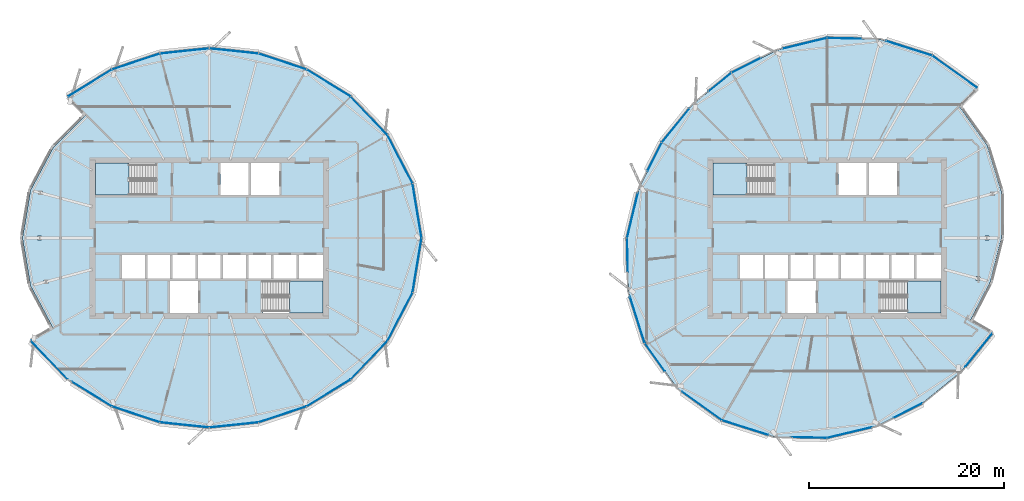
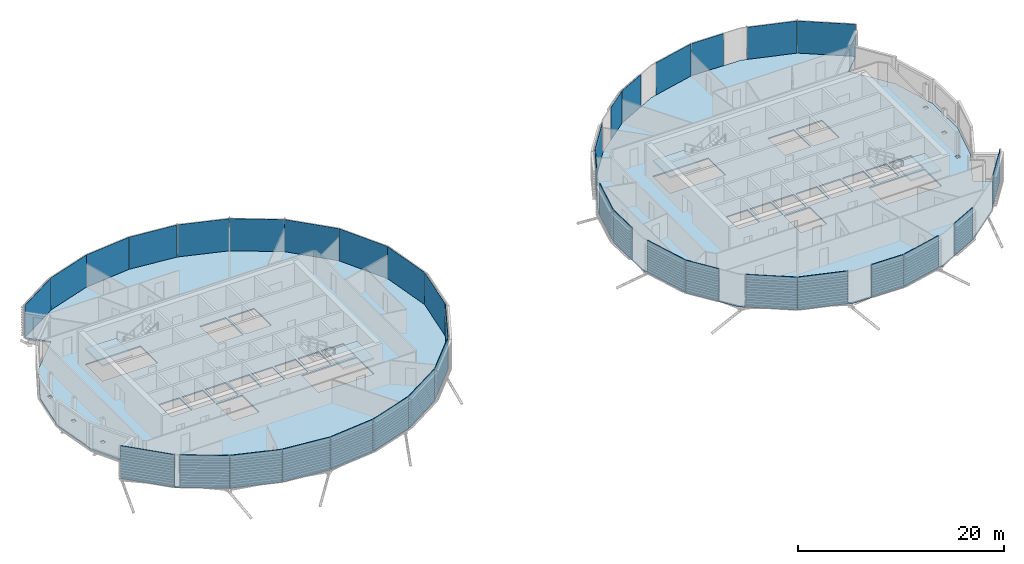
# One storey, part 18 of 36: 37 plates, 6 slabs, 6 elements without a shape of their own.
"""IFC4 building model written with IfcOpenShell, lengths in metres."""

from ifc_helpers import new_model, si_unit, direction, frame, origin, origin_2d, place, context, subcontext, project, spatial, polyline, rectangle, outline, extrude, material, layer, layer_set, type_object, element, aggregate, save


model = new_model("IFC4")

# Units and contexts
model_context = context("Model", 3, precision=1e-05, world=origin(), true_north=direction((0.0, 1.0)))
body_context = subcontext(model_context, "Body", "Model", "MODEL_VIEW")
ifc_project = project(units=[si_unit("LENGTHUNIT", "METRE"), si_unit("AREAUNIT", "SQUARE_METRE"), si_unit("VOLUMEUNIT", "CUBIC_METRE"), si_unit("PLANEANGLEUNIT", "RADIAN"), si_unit("MASSUNIT", "GRAM", prefix="KILO")], contexts=[model_context])

# Site, building, storey
site_placement = place(None, origin())
site = spatial("IfcSite", under=ifc_project, at=site_placement, CompositionType="ELEMENT")
building_placement = place(site_placement, origin())
building = spatial("IfcBuilding", under=site, at=building_placement, Name="Rimbun Link Towers", CompositionType="ELEMENT")
storey_placement = place(building_placement, frame((0.0, 0.0, 189.300048828125)))
storey = spatial("IfcBuildingStorey", under=building, at=storey_placement, Name="L46", CompositionType="ELEMENT", Elevation=189.300048828125)

# Slabs
ifc_material_1 = material(Name="Concrete C35/45", Category="concrete")
ifc_layer_1 = layer(ifc_material_1, 0.14990234375)
ifc_layer_set_1 = layer_set([ifc_layer_1], Name="COMPOSITE FLOOR 150")
slab_type_1 = type_object("IfcSlabType", Name="COMPOSITE FLOOR 150", PredefinedType="FLOOR", material=ifc_layer_set_1)
slab_1_placement = place(storey_placement, frame((0.0, 0.0, -0.150146484375)))
element("IfcSlab", 1, at=slab_1_placement, inside=storey, type_object=slab_type_1, Name="Floor slab T1 L46", PredefinedType="FLOOR", context=body_context, shape_type="SweptSolid", body=[
    extrude(outline(polyline([(-41.739013671875, 17.301513671875), (-36.822509765625, 18.930908203125), (-31.75, 19.465087890625), (-26.677490234375, 18.930908203125), (-21.760986328125, 17.301513671875), (-17.230224609375, 14.519775390625), (-13.443115234375, 10.569580078125), (-10.868896484375, 5.594970703125), (-9.948974609375, 0.0), (-10.868896484375, -5.594970703125), (-13.443115234375, -10.569580078125), (-17.230224609375, -14.519775390625), (-21.760986328125, -17.301513671875), (-26.677490234375, -18.930908203125), (-31.75, -19.465087890625), (-36.822509765625, -18.930908203125), (-41.739013671875, -17.301513671875), (-46.269775390625, -14.519775390625), (-50.056884765625, -10.569580078125), (-47.805419921875, -9.26953125), (-50.11962890625, -4.922119140625), (-50.950927734375, 0.0), (-50.11962890625, 4.922119140625), (-47.805419921875, 9.26953125), (-44.431396484375, 12.681396484375), (-46.269775390625, 14.519775390625), (-41.739013671875, 17.301513671875)]), holes=[polyline([(-32.89990234375, -7.699951171875), (-32.89990234375, -4.39990234375), (-35.800048828125, -4.39990234375), (-35.800048828125, -7.699951171875), (-32.89990234375, -7.699951171875)]), polyline([(-48.33349609375, -4.69384765625), (-48.33349609375, -4.30029296875), (-48.732421875, -4.30029296875), (-48.732421875, -4.69384765625), (-48.33349609375, -4.69384765625)]), polyline([(-38.361083984375, -4.14990234375), (-38.361083984375, -1.75), (-40.70556640625, -1.75), (-40.70556640625, -4.14990234375), (-38.361083984375, -4.14990234375)]), polyline([(-35.7666015625, -4.14990234375), (-35.7666015625, -1.75), (-38.111083984375, -1.75), (-38.111083984375, -4.14990234375), (-35.7666015625, -4.14990234375)]), polyline([(-33.172119140625, -4.14990234375), (-33.172119140625, -1.75), (-35.5166015625, -1.75), (-35.5166015625, -4.14990234375), (-33.172119140625, -4.14990234375)]), polyline([(-48.9814453125, -0.19677734375), (-48.9814453125, 0.19677734375), (-49.380615234375, 0.19677734375), (-49.380615234375, -0.19677734375), (-48.9814453125, -0.19677734375)]), polyline([(-48.91259765625, 4.455322265625), (-48.91259765625, 4.84912109375), (-49.3115234375, 4.84912109375), (-49.3115234375, 4.455322265625), (-48.91259765625, 4.455322265625)]), polyline([(-37.260009765625, 4.39990234375), (-37.260009765625, 7.699951171875), (-43.449951171875, 7.699951171875), (-43.449951171875, 4.39990234375), (-37.260009765625, 4.39990234375)]), polyline([(-20.050048828125, -7.699951171875), (-20.050048828125, -4.39990234375), (-26.239990234375, -4.39990234375), (-26.239990234375, -7.699951171875), (-20.050048828125, -7.699951171875)]), polyline([(-30.577880859375, -4.14990234375), (-30.577880859375, -1.75), (-32.922119140625, -1.75), (-32.922119140625, -4.14990234375), (-30.577880859375, -4.14990234375)]), polyline([(-27.9833984375, -4.14990234375), (-27.9833984375, -1.75), (-30.327880859375, -1.75), (-30.327880859375, -4.14990234375), (-27.9833984375, -4.14990234375)]), polyline([(-25.388916015625, -4.14990234375), (-25.388916015625, -1.75), (-27.7333984375, -1.75), (-27.7333984375, -4.14990234375), (-25.388916015625, -4.14990234375)]), polyline([(-22.79443359375, -4.14990234375), (-22.79443359375, -1.75), (-25.138916015625, -1.75), (-25.138916015625, -4.14990234375), (-22.79443359375, -4.14990234375)]), polyline([(-20.050048828125, -4.14990234375), (-20.050048828125, -1.75), (-22.54443359375, -1.75), (-22.54443359375, -4.14990234375), (-20.050048828125, -4.14990234375)]), polyline([(-27.699951171875, 4.39990234375), (-27.699951171875, 7.699951171875), (-30.60009765625, 7.699951171875), (-30.60009765625, 4.39990234375), (-27.699951171875, 4.39990234375)]), polyline([(-24.550048828125, 4.39990234375), (-24.550048828125, 7.699951171875), (-27.449951171875, 7.699951171875), (-27.449951171875, 4.39990234375), (-24.550048828125, 4.39990234375)])]), origin(), (0.0, 0.0, 1.0), 0.150146484375),
])
slab_2_placement = place(storey_placement, frame((0.0, 0.0, -0.150146484375)))
element("IfcSlab", 2, at=slab_2_placement, inside=storey, type_object=slab_type_1, Name="Floor slab T2 L46", PredefinedType="FLOOR", context=body_context, shape_type="SweptSolid", body=[
    extrude(outline(polyline([(45.513916015625, -13.763916015625), (41.54931640625, -16.972900390625), (36.920654296875, -19.297607421875), (31.75, -20.5341796875), (26.27880859375, -20.418701171875), (20.941162109375, -18.721435546875), (16.33447265625, -15.41552734375), (13.028564453125, -10.808837890625), (11.331298828125, -5.47119140625), (11.2158203125, 0.0), (12.452392578125, 5.170654296875), (14.777099609375, 9.79931640625), (17.986083984375, 13.763916015625), (21.95068359375, 16.972900390625), (26.579345703125, 19.297607421875), (31.75, 20.5341796875), (37.22119140625, 20.418701171875), (42.558837890625, 18.721435546875), (47.16552734375, 15.41552734375), (45.3271484375, 13.5771484375), (48.2197265625, 9.5087890625), (49.657470703125, 4.79833984375), (49.68408203125, 0.0), (48.5361328125, -4.497802734375), (46.471435546875, -8.49951171875), (48.722900390625, -9.79931640625), (45.513916015625, -13.763916015625)]), holes=[polyline([(30.60009765625, -7.699951171875), (30.60009765625, -4.39990234375), (27.699951171875, -4.39990234375), (27.699951171875, -7.699951171875), (30.60009765625, -7.699951171875)]), polyline([(25.138916015625, -4.14990234375), (25.138916015625, -1.75), (22.79443359375, -1.75), (22.79443359375, -4.14990234375), (25.138916015625, -4.14990234375)]), polyline([(27.7333984375, -4.14990234375), (27.7333984375, -1.75), (25.388916015625, -1.75), (25.388916015625, -4.14990234375), (27.7333984375, -4.14990234375)]), polyline([(30.327880859375, -4.14990234375), (30.327880859375, -1.75), (27.9833984375, -1.75), (27.9833984375, -4.14990234375), (30.327880859375, -4.14990234375)]), polyline([(32.922119140625, -4.14990234375), (32.922119140625, -1.75), (30.577880859375, -1.75), (30.577880859375, -4.14990234375), (32.922119140625, -4.14990234375)]), polyline([(35.5166015625, -4.14990234375), (35.5166015625, -1.75), (33.172119140625, -1.75), (33.172119140625, -4.14990234375), (35.5166015625, -4.14990234375)]), polyline([(26.239990234375, 4.39990234375), (26.239990234375, 7.699951171875), (20.050048828125, 7.699951171875), (20.050048828125, 4.39990234375), (26.239990234375, 4.39990234375)]), polyline([(35.800048828125, 4.39990234375), (35.800048828125, 7.699951171875), (32.89990234375, 7.699951171875), (32.89990234375, 4.39990234375), (35.800048828125, 4.39990234375)]), polyline([(43.449951171875, -7.699951171875), (43.449951171875, -4.39990234375), (37.260009765625, -4.39990234375), (37.260009765625, -7.699951171875), (43.449951171875, -7.699951171875)]), polyline([(47.472900390625, -4.356201171875), (47.472900390625, -3.962646484375), (47.073974609375, -3.962646484375), (47.073974609375, -4.356201171875), (47.472900390625, -4.356201171875)]), polyline([(38.111083984375, -4.14990234375), (38.111083984375, -1.75), (35.7666015625, -1.75), (35.7666015625, -4.14990234375), (38.111083984375, -4.14990234375)]), polyline([(40.70556640625, -4.14990234375), (40.70556640625, -1.75), (38.361083984375, -1.75), (38.361083984375, -4.14990234375), (40.70556640625, -4.14990234375)]), polyline([(43.449951171875, -4.14990234375), (43.449951171875, -1.75), (40.95556640625, -1.75), (40.95556640625, -4.14990234375), (43.449951171875, -4.14990234375)]), polyline([(48.368408203125, -0.19677734375), (48.368408203125, 0.19677734375), (47.969482421875, 0.19677734375), (47.969482421875, -0.19677734375), (48.368408203125, -0.19677734375)]), polyline([(48.943115234375, 4.356689453125), (48.943115234375, 4.750244140625), (48.5439453125, 4.750244140625), (48.5439453125, 4.356689453125), (48.943115234375, 4.356689453125)]), polyline([(38.949951171875, 4.39990234375), (38.949951171875, 7.699951171875), (36.050048828125, 7.699951171875), (36.050048828125, 4.39990234375), (38.949951171875, 4.39990234375)])]), origin(), (0.0, 0.0, 1.0), 0.150146484375),
])

# Curtain wall, plates
ifc_material_2 = material(Name="Aluminium 6063-T6 and low-iron glass", Category="aluminium")
curtain_wall_type = type_object("IfcCurtainWallType", Name="CW1-Z3 unitised vision wall (zone 3)", PredefinedType="NOTDEFINED", material=ifc_material_2)
curtain_wall_1_placement = place(storey_placement, origin())
curtain_wall_1 = element("IfcCurtainWall", 3, at=curtain_wall_1_placement, inside=storey, type_object=curtain_wall_type, Name="CW1 L46 T1", PredefinedType="NOTDEFINED")
ifc_material_3 = material(Name="Low-iron glass, laminated low-e unit", Category="glass")
ifc_layer_2 = layer(ifc_material_3, 0.028076171875)
ifc_layer_set_2 = layer_set([ifc_layer_2], Name="CW1 panel Low-iron glass 28")
plate_type = type_object("IfcPlateType", Name="CW1 panel Low-iron glass 28", PredefinedType="CURTAIN_PANEL", material=ifc_layer_set_2)
plate_1_placement = place(storey_placement, frame((-10.395263671875, 2.7998046875, 0.0), z_axis=(0.0, 0.0, 1.0), x_axis=(0.162253647337, -0.98674908357, 0.0)))
plate_1 = element("IfcPlate", 4, at=plate_1_placement, type_object=plate_type, Name="CW1 panel", PredefinedType="CURTAIN_PANEL", context=body_context, shape_type="SweptSolid", body=[
    extrude(rectangle(XDim=5.630126953125, YDim=0.028076171875, at=origin_2d()), origin(), (0.0, 0.0, 1.0), 3.800048828125),
])
plate_2_placement = place(storey_placement, frame((-12.1435546875, 8.088623046875, 0.0), z_axis=(0.0, 0.0, 1.0), x_axis=(0.459554053094, -0.88814980284, 0.0)))
plate_2 = element("IfcPlate", 5, at=plate_2_placement, type_object=plate_type, Name="CW1 panel", PredefinedType="CURTAIN_PANEL", context=body_context, shape_type="SweptSolid", body=[
    extrude(rectangle(XDim=5.56103515625, YDim=0.028076171875, at=origin_2d()), origin(), (0.0, 0.0, 1.0), 3.800048828125),
])
plate_3_placement = place(storey_placement, frame((-15.326416015625, 12.554443359375, 0.0), z_axis=(0.0, 0.0, 1.0), x_axis=(0.692056960795, -0.721842893583, 0.0)))
plate_3 = element("IfcPlate", 6, at=plate_3_placement, type_object=plate_type, Name="CW1 panel", PredefinedType="CURTAIN_PANEL", context=body_context, shape_type="SweptSolid", body=[
    extrude(rectangle(XDim=5.432373046875, YDim=0.028076171875, at=origin_2d()), origin(), (0.0, 0.0, 1.0), 3.800048828125),
])
plate_4_placement = place(storey_placement, frame((-19.48828125, 15.922607421875, 0.0), z_axis=(0.0, 0.0, 1.0), x_axis=(0.852188735381, -0.523234516531, 0.0)))
plate_4 = element("IfcPlate", 7, at=plate_4_placement, type_object=plate_type, Name="CW1 panel", PredefinedType="CURTAIN_PANEL", context=body_context, shape_type="SweptSolid", body=[
    extrude(rectangle(XDim=5.276611328125, YDim=0.028076171875, at=origin_2d()), origin(), (0.0, 0.0, 1.0), 3.800048828125),
])
plate_5_placement = place(storey_placement, frame((-24.21484375, 18.129638671875, 0.0), z_axis=(0.0, 0.0, 1.0), x_axis=(0.949235945561, -0.314564968894, 0.0)))
plate_5 = element("IfcPlate", 8, at=plate_5_placement, type_object=plate_type, Name="CW1 panel", PredefinedType="CURTAIN_PANEL", context=body_context, shape_type="SweptSolid", body=[
    extrude(rectangle(XDim=5.1396484375, YDim=0.028076171875, at=origin_2d()), origin(), (0.0, 0.0, 1.0), 3.800048828125),
])
plate_6_placement = place(storey_placement, frame((-29.21240234375, 19.2119140625, 0.0), z_axis=(0.0, 0.0, 1.0), x_axis=(0.994498252868, -0.104753162451, 0.0)))
plate_6 = element("IfcPlate", 9, at=plate_6_placement, type_object=plate_type, Name="CW1 panel", PredefinedType="CURTAIN_PANEL", context=body_context, shape_type="SweptSolid", body=[
    extrude(rectangle(XDim=5.060546875, YDim=0.028076171875, at=origin_2d()), origin(), (0.0, 0.0, 1.0), 3.800048828125),
])
plate_7_placement = place(storey_placement, frame((-34.28759765625, 19.2119140625, 0.0), z_axis=(0.0, 0.0, 1.0), x_axis=(0.994498252868, 0.104753162451, 0.0)))
plate_7 = element("IfcPlate", 10, at=plate_7_placement, type_object=plate_type, Name="CW1 panel", PredefinedType="CURTAIN_PANEL", context=body_context, shape_type="SweptSolid", body=[
    extrude(rectangle(XDim=5.060546875, YDim=0.028076171875, at=origin_2d()), origin(), (0.0, 0.0, 1.0), 3.800048828125),
])
plate_8_placement = place(storey_placement, frame((-39.28515625, 18.129638671875, 0.0), z_axis=(0.0, 0.0, 1.0), x_axis=(0.949235945561, 0.314564968894, 0.0)))
plate_8 = element("IfcPlate", 11, at=plate_8_placement, type_object=plate_type, Name="CW1 panel", PredefinedType="CURTAIN_PANEL", context=body_context, shape_type="SweptSolid", body=[
    extrude(rectangle(XDim=5.1396484375, YDim=0.028076171875, at=origin_2d()), origin(), (0.0, 0.0, 1.0), 3.800048828125),
])
plate_9_placement = place(storey_placement, frame((-44.01171875, 15.922607421875, 0.0), z_axis=(0.0, 0.0, 1.0), x_axis=(0.852188735381, 0.523234516531, 0.0)))
plate_9 = element("IfcPlate", 12, at=plate_9_placement, type_object=plate_type, Name="CW1 panel", PredefinedType="CURTAIN_PANEL", context=body_context, shape_type="SweptSolid", body=[
    extrude(rectangle(XDim=5.276611328125, YDim=0.028076171875, at=origin_2d()), origin(), (0.0, 0.0, 1.0), 3.800048828125),
])
plate_10_placement = place(storey_placement, frame((-48.173583984375, -12.554443359375, 0.0), z_axis=(0.0, 0.0, 1.0), x_axis=(-0.692056960795, 0.721842893583, 0.0)))
plate_10 = element("IfcPlate", 13, at=plate_10_placement, type_object=plate_type, Name="CW1 panel", PredefinedType="CURTAIN_PANEL", context=body_context, shape_type="SweptSolid", body=[
    extrude(rectangle(XDim=5.432373046875, YDim=0.028076171875, at=origin_2d()), origin(), (0.0, 0.0, 1.0), 3.800048828125),
])
plate_11_placement = place(storey_placement, frame((-43.798828125, -16.053466796875, 0.0), z_axis=(0.0, 0.0, 1.0), x_axis=(-0.852188735381, 0.523234516531, 0.0)))
plate_11 = element("IfcPlate", 14, at=plate_11_placement, type_object=plate_type, Name="CW1 panel", PredefinedType="CURTAIN_PANEL", context=body_context, shape_type="SweptSolid", body=[
    extrude(rectangle(XDim=4.776611328125, YDim=0.028076171875, at=origin_2d()), origin(), (0.0, 0.0, 1.0), 3.800048828125),
])
plate_12_placement = place(storey_placement, frame((-39.28515625, -18.129638671875, 0.0), z_axis=(0.0, 0.0, 1.0), x_axis=(-0.949235945561, 0.314564968894, 0.0)))
plate_12 = element("IfcPlate", 15, at=plate_12_placement, type_object=plate_type, Name="CW1 panel", PredefinedType="CURTAIN_PANEL", context=body_context, shape_type="SweptSolid", body=[
    extrude(rectangle(XDim=5.1396484375, YDim=0.028076171875, at=origin_2d()), origin(), (0.0, 0.0, 1.0), 3.800048828125),
])
plate_13_placement = place(storey_placement, frame((-34.28759765625, -19.2119140625, 0.0), z_axis=(0.0, 0.0, 1.0), x_axis=(-0.994498252868, 0.104753162451, 0.0)))
plate_13 = element("IfcPlate", 16, at=plate_13_placement, type_object=plate_type, Name="CW1 panel", PredefinedType="CURTAIN_PANEL", context=body_context, shape_type="SweptSolid", body=[
    extrude(rectangle(XDim=5.060546875, YDim=0.028076171875, at=origin_2d()), origin(), (0.0, 0.0, 1.0), 3.800048828125),
])
plate_14_placement = place(storey_placement, frame((-29.21240234375, -19.2119140625, 0.0), z_axis=(0.0, 0.0, 1.0), x_axis=(-0.994498252868, -0.104753162451, 0.0)))
plate_14 = element("IfcPlate", 17, at=plate_14_placement, type_object=plate_type, Name="CW1 panel", PredefinedType="CURTAIN_PANEL", context=body_context, shape_type="SweptSolid", body=[
    extrude(rectangle(XDim=5.060546875, YDim=0.028076171875, at=origin_2d()), origin(), (0.0, 0.0, 1.0), 3.800048828125),
])
plate_15_placement = place(storey_placement, frame((-24.21484375, -18.129638671875, 0.0), z_axis=(0.0, 0.0, 1.0), x_axis=(-0.949235945561, -0.314564968894, 0.0)))
plate_15 = element("IfcPlate", 18, at=plate_15_placement, type_object=plate_type, Name="CW1 panel", PredefinedType="CURTAIN_PANEL", context=body_context, shape_type="SweptSolid", body=[
    extrude(rectangle(XDim=5.1396484375, YDim=0.028076171875, at=origin_2d()), origin(), (0.0, 0.0, 1.0), 3.800048828125),
])
plate_16_placement = place(storey_placement, frame((-19.48828125, -15.922607421875, 0.0), z_axis=(0.0, 0.0, 1.0), x_axis=(-0.852188735381, -0.523234516531, 0.0)))
plate_16 = element("IfcPlate", 19, at=plate_16_placement, type_object=plate_type, Name="CW1 panel", PredefinedType="CURTAIN_PANEL", context=body_context, shape_type="SweptSolid", body=[
    extrude(rectangle(XDim=5.276611328125, YDim=0.028076171875, at=origin_2d()), origin(), (0.0, 0.0, 1.0), 3.800048828125),
])
plate_17_placement = place(storey_placement, frame((-15.326416015625, -12.554443359375, 0.0), z_axis=(0.0, 0.0, 1.0), x_axis=(-0.692056960795, -0.721842893583, 0.0)))
plate_17 = element("IfcPlate", 20, at=plate_17_placement, type_object=plate_type, Name="CW1 panel", PredefinedType="CURTAIN_PANEL", context=body_context, shape_type="SweptSolid", body=[
    extrude(rectangle(XDim=5.432373046875, YDim=0.028076171875, at=origin_2d()), origin(), (0.0, 0.0, 1.0), 3.800048828125),
])
plate_18_placement = place(storey_placement, frame((-12.1435546875, -8.088623046875, 0.0), z_axis=(0.0, 0.0, 1.0), x_axis=(-0.459554053094, -0.88814980284, 0.0)))
plate_18 = element("IfcPlate", 21, at=plate_18_placement, type_object=plate_type, Name="CW1 panel", PredefinedType="CURTAIN_PANEL", context=body_context, shape_type="SweptSolid", body=[
    extrude(rectangle(XDim=5.56103515625, YDim=0.028076171875, at=origin_2d()), origin(), (0.0, 0.0, 1.0), 3.800048828125),
])
plate_19_placement = place(storey_placement, frame((-10.395263671875, -2.7998046875, 0.0), z_axis=(0.0, 0.0, 1.0), x_axis=(-0.162253647337, -0.98674908357, 0.0)))
plate_19 = element("IfcPlate", 22, at=plate_19_placement, type_object=plate_type, Name="CW1 panel", PredefinedType="CURTAIN_PANEL", context=body_context, shape_type="SweptSolid", body=[
    extrude(rectangle(XDim=5.630126953125, YDim=0.028076171875, at=origin_2d()), origin(), (0.0, 0.0, 1.0), 3.800048828125),
])
aggregate(curtain_wall_1, [plate_1, plate_2, plate_3, plate_4, plate_5, plate_6, plate_7, plate_8, plate_9, plate_10, plate_11, plate_12, plate_13, plate_14, plate_15, plate_16, plate_17, plate_18, plate_19])

curtain_wall_2_placement = place(storey_placement, origin())
curtain_wall_2 = element("IfcCurtainWall", 23, at=curtain_wall_2_placement, inside=storey, type_object=curtain_wall_type, Name="CW1 L46 T2", PredefinedType="NOTDEFINED")
plate_20_placement = place(storey_placement, frame((44.870361328125, 17.079833984375, 0.0), z_axis=(0.0, 0.0, 1.0), x_axis=(0.81246124987, -0.583015194879, 0.0)))
plate_20 = element("IfcPlate", 24, at=plate_20_placement, type_object=plate_type, Name="CW1 panel", PredefinedType="CURTAIN_PANEL", context=body_context, shape_type="SweptSolid", body=[
    extrude(rectangle(XDim=5.630126953125, YDim=0.028076171875, at=origin_2d()), origin(), (0.0, 0.0, 1.0), 3.800048828125),
])
plate_21_placement = place(storey_placement, frame((40.18017578125, 19.492431640625, 0.0), z_axis=(0.0, 0.0, 1.0), x_axis=(0.95297360206, -0.303053318374, 0.0)))
plate_21 = element("IfcPlate", 25, at=plate_21_placement, type_object=plate_type, Name="CW1 panel", PredefinedType="CURTAIN_PANEL", context=body_context, shape_type="SweptSolid", body=[
    extrude(rectangle(XDim=4.9609375, YDim=0.028076171875, at=origin_2d()), origin(), (0.0, 0.0, 1.0), 3.800048828125),
])
plate_22_placement = place(storey_placement, frame((33.5361328125, 20.510498046875, 0.0), z_axis=(0.0, 0.0, 1.0), x_axis=(0.999778017463, -0.02106930936, 0.0)))
plate_22 = element("IfcPlate", 26, at=plate_22_placement, type_object=plate_type, Name="CW1 panel", PredefinedType="CURTAIN_PANEL", context=body_context, shape_type="SweptSolid", body=[
    extrude(rectangle(XDim=3.532470703125, YDim=0.028076171875, at=origin_2d()), origin(), (0.0, 0.0, 1.0), 3.800048828125),
])
plate_23_placement = place(storey_placement, frame((29.453125, 19.999267578125, 0.0), z_axis=(0.0, 0.0, 1.0), x_axis=(0.972573434414, 0.232596033225, 0.0)))
plate_23 = element("IfcPlate", 27, at=plate_23_placement, type_object=plate_type, Name="CW1 panel", PredefinedType="CURTAIN_PANEL", context=body_context, shape_type="SweptSolid", body=[
    extrude(rectangle(XDim=4.676513671875, YDim=0.028076171875, at=origin_2d()), origin(), (0.0, 0.0, 1.0), 3.800048828125),
])
plate_24_placement = place(storey_placement, frame((23.43212890625, 17.732666015625, 0.0), z_axis=(0.0, 0.0, 1.0), x_axis=(0.893641971467, 0.448780599884, 0.0)))
plate_24 = element("IfcPlate", 28, at=plate_24_placement, type_object=plate_type, Name="CW1 panel", PredefinedType="CURTAIN_PANEL", context=body_context, shape_type="SweptSolid", body=[
    extrude(rectangle(XDim=3.28955078125, YDim=0.028076171875, at=origin_2d()), origin(), (0.0, 0.0, 1.0), 3.800048828125),
])
plate_25_placement = place(storey_placement, frame((20.756103515625, 16.024169921875, 0.0), z_axis=(0.0, 0.0, 1.0), x_axis=(0.777286873483, 0.629146339344, 0.0)))
plate_25 = element("IfcPlate", 29, at=plate_25_placement, type_object=plate_type, Name="CW1 panel", PredefinedType="CURTAIN_PANEL", context=body_context, shape_type="SweptSolid", body=[
    extrude(rectangle(XDim=3.010498046875, YDim=0.028076171875, at=origin_2d()), origin(), (0.0, 0.0, 1.0), 3.800048828125),
])
plate_26_placement = place(storey_placement, frame((16.181884765625, 11.557373046875, 0.0), z_axis=(0.0, 0.0, 1.0), x_axis=(0.629146339344, 0.777286873483, 0.0)))
plate_26 = element("IfcPlate", 30, at=plate_26_placement, type_object=plate_type, Name="CW1 panel", PredefinedType="CURTAIN_PANEL", context=body_context, shape_type="SweptSolid", body=[
    extrude(rectangle(XDim=4.46044921875, YDim=0.028076171875, at=origin_2d()), origin(), (0.0, 0.0, 1.0), 3.800048828125),
])
plate_27_placement = place(storey_placement, frame((14.028564453125, 8.34033203125, 0.0), z_axis=(0.0, 0.0, 1.0), x_axis=(0.448780599884, 0.893641971467, 0.0)))
plate_27 = element("IfcPlate", 31, at=plate_27_placement, type_object=plate_type, Name="CW1 panel", PredefinedType="CURTAIN_PANEL", context=body_context, shape_type="SweptSolid", body=[
    extrude(rectangle(XDim=3.239501953125, YDim=0.028076171875, at=origin_2d()), origin(), (0.0, 0.0, 1.0), 3.800048828125),
])
plate_28_placement = place(storey_placement, frame((11.756591796875, 2.321044921875, 0.0), z_axis=(0.0, 0.0, 1.0), x_axis=(0.232596033225, 0.972573434414, 0.0)))
plate_28 = element("IfcPlate", 32, at=plate_28_placement, type_object=plate_type, Name="CW1 panel", PredefinedType="CURTAIN_PANEL", context=body_context, shape_type="SweptSolid", body=[
    extrude(rectangle(XDim=4.7265625, YDim=0.028076171875, at=origin_2d()), origin(), (0.0, 0.0, 1.0), 3.800048828125),
])
plate_29_placement = place(storey_placement, frame((11.239013671875, -1.76123046875, 0.0), z_axis=(0.0, 0.0, 1.0), x_axis=(-0.02106930936, 0.999778017463, 0.0)))
plate_29 = element("IfcPlate", 33, at=plate_29_placement, type_object=plate_type, Name="CW1 panel", PredefinedType="CURTAIN_PANEL", context=body_context, shape_type="SweptSolid", body=[
    extrude(rectangle(XDim=3.482421875, YDim=0.028076171875, at=origin_2d()), origin(), (0.0, 0.0, 1.0), 3.800048828125),
])
plate_30_placement = place(storey_placement, frame((12.257568359375, -8.43017578125, 0.0), z_axis=(0.0, 0.0, 1.0), x_axis=(-0.303053318374, 0.95297360206, 0.0)))
plate_30 = element("IfcPlate", 34, at=plate_30_placement, type_object=plate_type, Name="CW1 panel", PredefinedType="CURTAIN_PANEL", context=body_context, shape_type="SweptSolid", body=[
    extrude(rectangle(XDim=4.9609375, YDim=0.028076171875, at=origin_2d()), origin(), (0.0, 0.0, 1.0), 3.800048828125),
])
plate_31_placement = place(storey_placement, frame((14.057861328125, -12.267333984375, 0.0), z_axis=(0.0, 0.0, 1.0), x_axis=(-0.583015194879, 0.81246124987, 0.0)))
plate_31 = element("IfcPlate", 35, at=plate_31_placement, type_object=plate_type, Name="CW1 panel", PredefinedType="CURTAIN_PANEL", context=body_context, shape_type="SweptSolid", body=[
    extrude(rectangle(XDim=3.5302734375, YDim=0.028076171875, at=origin_2d()), origin(), (0.0, 0.0, 1.0), 3.800048828125),
])
plate_32_placement = place(storey_placement, frame((18.893798828125, -17.269287109375, 0.0), z_axis=(0.0, 0.0, 1.0), x_axis=(-0.81246124987, 0.583015194879, 0.0)))
plate_32 = element("IfcPlate", 36, at=plate_32_placement, type_object=plate_type, Name="CW1 panel", PredefinedType="CURTAIN_PANEL", context=body_context, shape_type="SweptSolid", body=[
    extrude(rectangle(XDim=4.980224609375, YDim=0.028076171875, at=origin_2d()), origin(), (0.0, 0.0, 1.0), 3.800048828125),
])
plate_33_placement = place(storey_placement, frame((23.31982421875, -19.492431640625, 0.0), z_axis=(0.0, 0.0, 1.0), x_axis=(-0.95297360206, 0.303053318374, 0.0)))
plate_33 = element("IfcPlate", 37, at=plate_33_placement, type_object=plate_type, Name="CW1 panel", PredefinedType="CURTAIN_PANEL", context=body_context, shape_type="SweptSolid", body=[
    extrude(rectangle(XDim=4.9609375, YDim=0.028076171875, at=origin_2d()), origin(), (0.0, 0.0, 1.0), 3.800048828125),
])
plate_34_placement = place(storey_placement, frame((29.9638671875, -20.510498046875, 0.0), z_axis=(0.0, 0.0, 1.0), x_axis=(-0.999778017463, 0.02106930936, 0.0)))
plate_34 = element("IfcPlate", 38, at=plate_34_placement, type_object=plate_type, Name="CW1 panel", PredefinedType="CURTAIN_PANEL", context=body_context, shape_type="SweptSolid", body=[
    extrude(rectangle(XDim=3.532470703125, YDim=0.028076171875, at=origin_2d()), origin(), (0.0, 0.0, 1.0), 3.800048828125),
])
plate_35_placement = place(storey_placement, frame((34.046875, -19.999267578125, 0.0), z_axis=(0.0, 0.0, 1.0), x_axis=(-0.972573434414, -0.232596033225, 0.0)))
plate_35 = element("IfcPlate", 39, at=plate_35_placement, type_object=plate_type, Name="CW1 panel", PredefinedType="CURTAIN_PANEL", context=body_context, shape_type="SweptSolid", body=[
    extrude(rectangle(XDim=4.676513671875, YDim=0.028076171875, at=origin_2d()), origin(), (0.0, 0.0, 1.0), 3.800048828125),
])
plate_36_placement = place(storey_placement, frame((40.06787109375, -17.732666015625, 0.0), z_axis=(0.0, 0.0, 1.0), x_axis=(-0.893641971467, -0.448780599884, 0.0)))
plate_36 = element("IfcPlate", 40, at=plate_36_placement, type_object=plate_type, Name="CW1 panel", PredefinedType="CURTAIN_PANEL", context=body_context, shape_type="SweptSolid", body=[
    extrude(rectangle(XDim=3.28955078125, YDim=0.028076171875, at=origin_2d()), origin(), (0.0, 0.0, 1.0), 3.800048828125),
])
plate_37_placement = place(storey_placement, frame((47.333740234375, -11.537841796875, 0.0), z_axis=(0.0, 0.0, 1.0), x_axis=(-0.629146339344, -0.777286873483, 0.0)))
plate_37 = element("IfcPlate", 41, at=plate_37_placement, type_object=plate_type, Name="CW1 panel", PredefinedType="CURTAIN_PANEL", context=body_context, shape_type="SweptSolid", body=[
    extrude(rectangle(XDim=4.41064453125, YDim=0.028076171875, at=origin_2d()), origin(), (0.0, 0.0, 1.0), 3.800048828125),
])
aggregate(curtain_wall_2, [plate_20, plate_21, plate_22, plate_23, plate_24, plate_25, plate_26, plate_27, plate_28, plate_29, plate_30, plate_31, plate_32, plate_33, plate_34, plate_35, plate_36, plate_37])

# Stair, slab
ifc_material_4 = material(Name="Concrete C40/50", Category="concrete")
stair_type = type_object("IfcStairType", Name="Exit stair 3800 rise", PredefinedType="HALF_TURN_STAIR", material=ifc_material_4)
stair_1_placement = place(storey_placement, origin())
stair_1 = element("IfcStair", 42, at=stair_1_placement, inside=storey, type_object=stair_type, Name="L46 EXIT STAIR A", PredefinedType="HALF_TURN_STAIR")
ifc_material_5 = material(Name="Concrete C40/50", Category="concrete")
ifc_layer_3 = layer(ifc_material_5, 0.199951171875)
ifc_layer_set_3 = layer_set([ifc_layer_3], Name="Stair landing")
slab_type_2 = type_object("IfcSlabType", Name="Stair landing", PredefinedType="LANDING", material=ifc_layer_set_3)
slab_3_placement = place(storey_placement, frame((0.0, 0.0, 1.699951171875)))
slab_3 = element("IfcSlab", 43, at=slab_3_placement, type_object=slab_type_2, Name="ST1 landing 1", PredefinedType="LANDING", context=body_context, shape_type="SweptSolid", body=[
    extrude(outline(polyline([(-40.0, 7.699951171875), (-43.449951171875, 7.699951171875), (-43.449951171875, 4.39990234375), (-40.0, 4.39990234375), (-40.0, 7.699951171875)])), origin(), (0.0, 0.0, 1.0), 0.199951171875),
])
aggregate(stair_1, [slab_3])

stair_2_placement = place(storey_placement, origin())
stair_2 = element("IfcStair", 44, at=stair_2_placement, inside=storey, type_object=stair_type, Name="L46 EXIT STAIR B", PredefinedType="HALF_TURN_STAIR")
slab_4_placement = place(storey_placement, frame((0.0, 0.0, 1.699951171875)))
slab_4 = element("IfcSlab", 45, at=slab_4_placement, type_object=slab_type_2, Name="ST2 landing 1", PredefinedType="LANDING", context=body_context, shape_type="SweptSolid", body=[
    extrude(outline(polyline([(-23.5, -7.699951171875), (-20.050048828125, -7.699951171875), (-20.050048828125, -4.39990234375), (-23.5, -4.39990234375), (-23.5, -7.699951171875)])), origin(), (0.0, 0.0, 1.0), 0.199951171875),
])
aggregate(stair_2, [slab_4])

stair_3_placement = place(storey_placement, origin())
stair_3 = element("IfcStair", 46, at=stair_3_placement, inside=storey, type_object=stair_type, Name="L46 EXIT STAIR A", PredefinedType="HALF_TURN_STAIR")
slab_5_placement = place(storey_placement, frame((0.0, 0.0, 1.699951171875)))
slab_5 = element("IfcSlab", 47, at=slab_5_placement, type_object=slab_type_2, Name="ST3 landing 1", PredefinedType="LANDING", context=body_context, shape_type="SweptSolid", body=[
    extrude(outline(polyline([(23.5, 7.699951171875), (20.050048828125, 7.699951171875), (20.050048828125, 4.39990234375), (23.5, 4.39990234375), (23.5, 7.699951171875)])), origin(), (0.0, 0.0, 1.0), 0.199951171875),
])
aggregate(stair_3, [slab_5])

stair_4_placement = place(storey_placement, origin())
stair_4 = element("IfcStair", 48, at=stair_4_placement, inside=storey, type_object=stair_type, Name="L46 EXIT STAIR B", PredefinedType="HALF_TURN_STAIR")
slab_6_placement = place(storey_placement, frame((0.0, 0.0, 1.699951171875)))
slab_6 = element("IfcSlab", 49, at=slab_6_placement, type_object=slab_type_2, Name="ST4 landing 1", PredefinedType="LANDING", context=body_context, shape_type="SweptSolid", body=[
    extrude(outline(polyline([(40.0, -7.699951171875), (43.449951171875, -7.699951171875), (43.449951171875, -4.39990234375), (40.0, -4.39990234375), (40.0, -7.699951171875)])), origin(), (0.0, 0.0, 1.0), 0.199951171875),
])
aggregate(stair_4, [slab_6])

save(model, "model.ifc")
